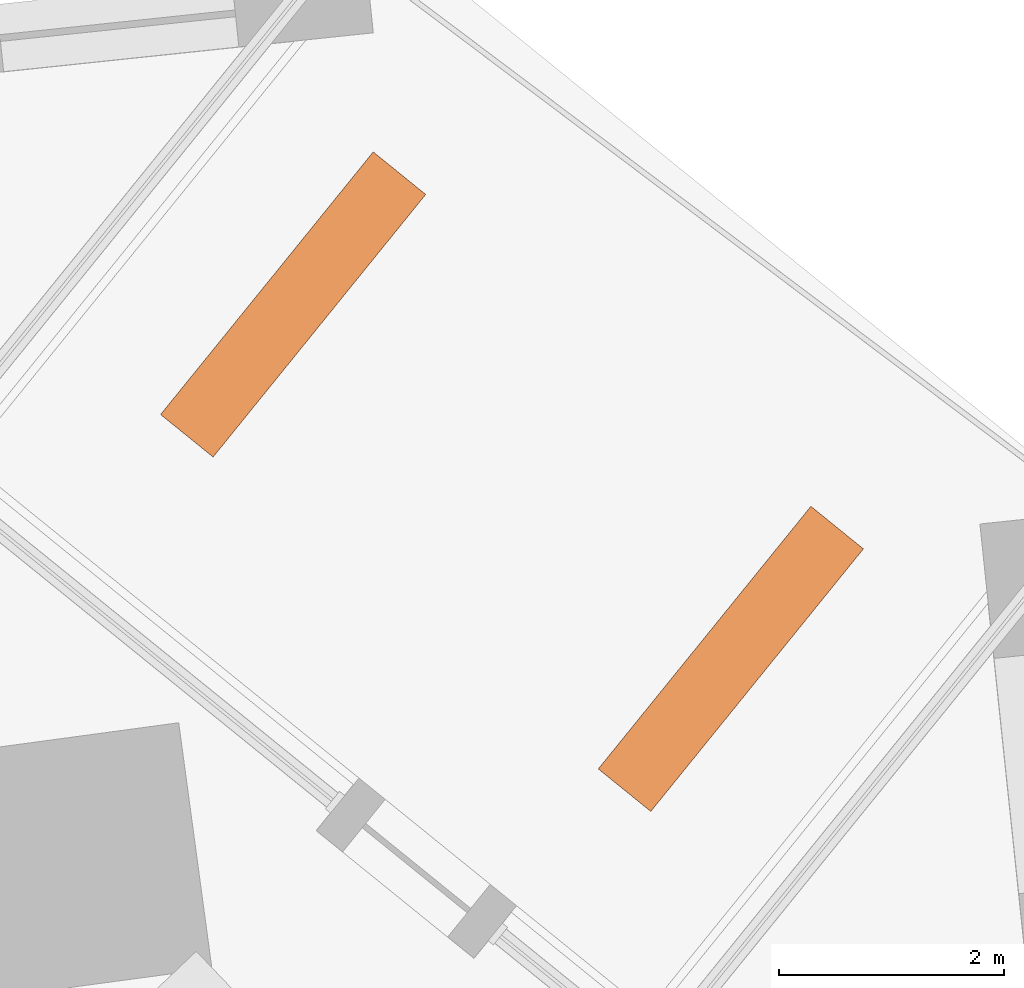
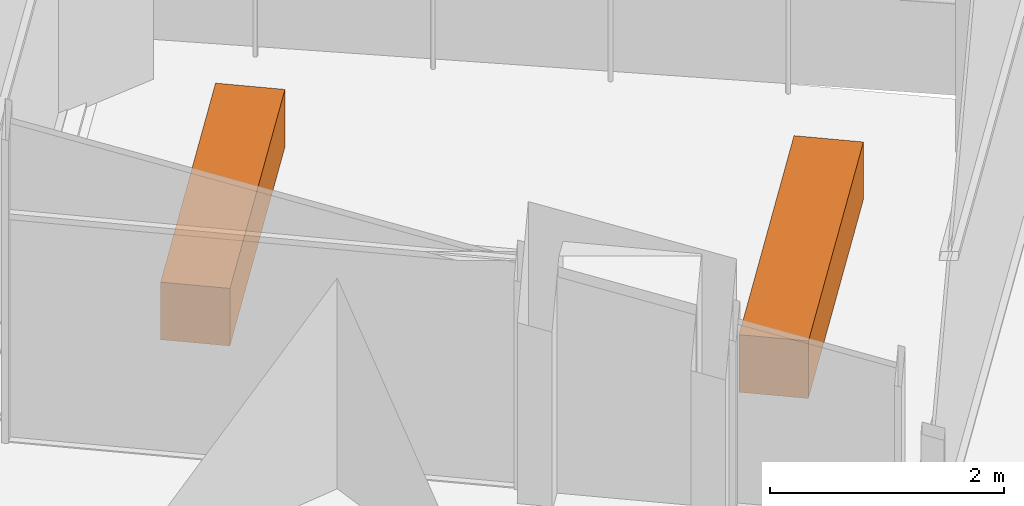
# One storey, part 10 of 10: 2 proxies.
"""IFC4 building model written with IfcOpenShell, lengths in metres."""

from ifc_helpers import new_model, si_unit, direction, frame, origin, origin_2d, place, context, subcontext, project, spatial, rectangle, extrude, element, save


model = new_model("IFC4")

# Units and contexts
model_context = context("Model", 3, precision=1e-05, world=origin(), true_north=direction((0.0, 1.0)))
body_context = subcontext(model_context, "Body", "Model", "MODEL_VIEW")
ifc_project = project(units=[si_unit("LENGTHUNIT", "METRE"), si_unit("AREAUNIT", "SQUARE_METRE"), si_unit("VOLUMEUNIT", "CUBIC_METRE"), si_unit("PLANEANGLEUNIT", "RADIAN"), si_unit("MASSUNIT", "GRAM", prefix="KILO")], contexts=[model_context])

# Site, building, storey
site_placement = place(None, origin())
site = spatial("IfcSite", under=ifc_project, at=site_placement, CompositionType="ELEMENT")
building_placement = place(site_placement, origin())
building = spatial("IfcBuilding", under=site, at=building_placement, Name="Dilmun Exchange Tower", CompositionType="ELEMENT")
storey_placement = place(building_placement, frame((0.0, 0.0, 36.89990234375)))
storey = spatial("IfcBuildingStorey", under=building, at=storey_placement, Name="L08", CompositionType="ELEMENT", Elevation=36.89990234375)

# Proxies
for number, where, z_axis, x_axis, name in (
    (1, (24.466796875, 26.241455078125, 0.0), (0.0, 0.0, 1.0), (0.62932039105, 0.777145961457, 0.0), "PLANTER Date palm L08.1"),
    (2, (20.5810546875, 29.387939453125, 0.0), (0.0, 0.0, 1.0), (0.62932039105, 0.777145961457, 0.0), "PLANTER Date palm L08.2"),
):
    element("IfcBuildingElementProxy", number, at=place(storey_placement, frame(where, z_axis=z_axis, x_axis=x_axis)), inside=storey, Name=name, ObjectType="PLANTER", PredefinedType="USERDEFINED", context=body_context, shape_type="SweptSolid", body=[
        extrude(rectangle(XDim=3.0, YDim=0.60009765625, at=origin_2d()), origin(), (0.0, 0.0, 1.0), 0.60009765625),
    ])

save(model, "model.ifc")
